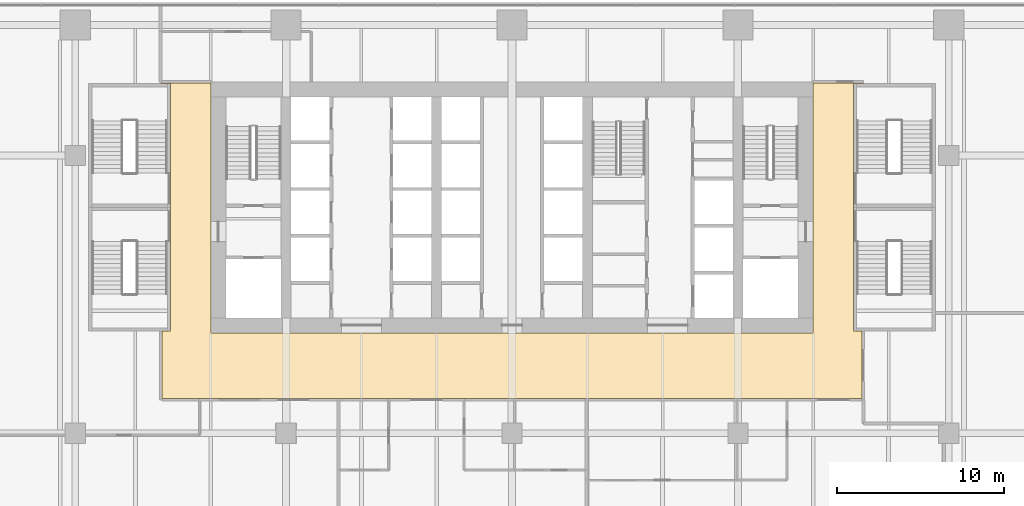
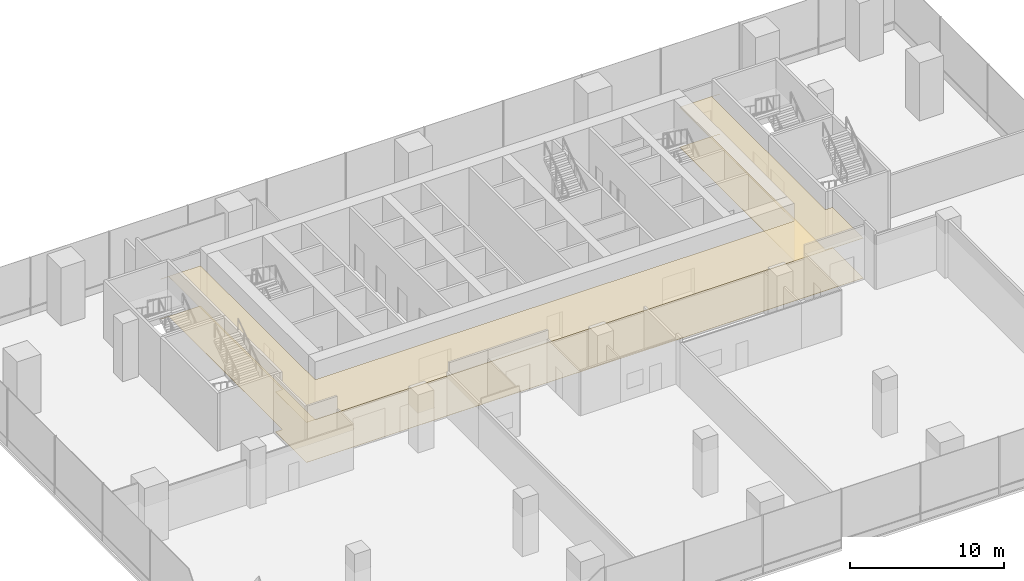
# One storey, part 27 of 28: 2 coverings.
"""IFC4 building model written with IfcOpenShell, lengths in metres."""

from ifc_helpers import new_model, si_unit, direction, frame, origin, place, context, subcontext, project, spatial, polyline, outline, extrude, material, layer, layer_set, type_object, element, save


model = new_model("IFC4")

# Units and contexts
model_context = context("Model", 3, precision=1e-05, world=origin(), true_north=direction((0.0, 1.0)))
body_context = subcontext(model_context, "Body", "Model", "MODEL_VIEW")
ifc_project = project(units=[si_unit("LENGTHUNIT", "METRE"), si_unit("AREAUNIT", "SQUARE_METRE"), si_unit("VOLUMEUNIT", "CUBIC_METRE"), si_unit("PLANEANGLEUNIT", "RADIAN"), si_unit("MASSUNIT", "GRAM", prefix="KILO")], contexts=[model_context])

# Site, building, storey
site_placement = place(None, origin())
site = spatial("IfcSite", under=ifc_project, at=site_placement, CompositionType="ELEMENT")
building_placement = place(site_placement, origin())
building = spatial("IfcBuilding", under=site, at=building_placement, Name="Rattan Terrace Tower", CompositionType="ELEMENT")
storey_placement = place(building_placement, frame((0.0, 0.0, 17.39990234375)))
storey = spatial("IfcBuildingStorey", under=building, at=storey_placement, Name="L03", CompositionType="ELEMENT", Elevation=17.39990234375)

# Coverings
ifc_material_1 = material(Name="Polished limestone", Category="masonry")
ifc_layer_1 = layer(ifc_material_1, 0.02001953125)
ifc_layer_set_1 = layer_set([ifc_layer_1], Name="Lobby Floor Finish Stone 20")
covering_type_1 = type_object("IfcCoveringType", Name="Lobby Floor Finish Stone 20", PredefinedType="FLOORING", material=ifc_layer_set_1)
covering_1_placement = place(storey_placement, origin())
element("IfcCovering", 1, at=covering_1_placement, inside=storey, type_object=covering_type_1, Name="Floor finish L03-101", PredefinedType="FLOORING", context=body_context, shape_type="SweptSolid", body=[
    extrude(outline(polyline([(-20.39990234375, 7.39990234375), (-20.39990234375, 0.0), (-20.39990234375, -7.39990234375), (-20.925048828125, -7.39990234375), (-20.925048828125, -11.425048828125), (20.925048828125, -11.425048828125), (20.925048828125, -7.39990234375), (20.39990234375, -7.39990234375), (20.39990234375, 0.0), (20.39990234375, 7.39990234375), (21.0, 7.39990234375), (21.0, 7.425048828125), (18.0, 7.425048828125), (18.0, -7.5), (-18.0, -7.5), (-18.0, 7.425048828125), (-21.0, 7.425048828125), (-21.0, 7.39990234375), (-20.39990234375, 7.39990234375)])), origin(), (0.0, 0.0, 1.0), 0.02001953125),
])
ifc_material_2 = material(Name="Gypsum board, painted")
ifc_layer_2 = layer(ifc_material_2, 0.02490234375)
ifc_layer_set_2 = layer_set([ifc_layer_2], Name="Suspended Ceiling Gypsum 25")
covering_type_2 = type_object("IfcCoveringType", Name="Suspended Ceiling Gypsum 25", PredefinedType="CEILING", material=ifc_layer_set_2)
covering_2_placement = place(storey_placement, frame((0.0, 0.0, 3.175048828125)))
element("IfcCovering", 2, at=covering_2_placement, inside=storey, type_object=covering_type_2, Name="Ceiling L03-101", PredefinedType="CEILING", context=body_context, shape_type="SweptSolid", body=[
    extrude(outline(polyline([(-20.39990234375, 7.39990234375), (-20.39990234375, 0.0), (-20.39990234375, -7.39990234375), (-20.925048828125, -7.39990234375), (-20.925048828125, -11.425048828125), (20.925048828125, -11.425048828125), (20.925048828125, -7.39990234375), (20.39990234375, -7.39990234375), (20.39990234375, 0.0), (20.39990234375, 7.39990234375), (21.0, 7.39990234375), (21.0, 7.425048828125), (18.0, 7.425048828125), (18.0, -7.5), (-18.0, -7.5), (-18.0, 7.425048828125), (-21.0, 7.425048828125), (-21.0, 7.39990234375), (-20.39990234375, 7.39990234375)])), origin(), (0.0, 0.0, 1.0), 0.025146484375),
])

save(model, "model.ifc")
